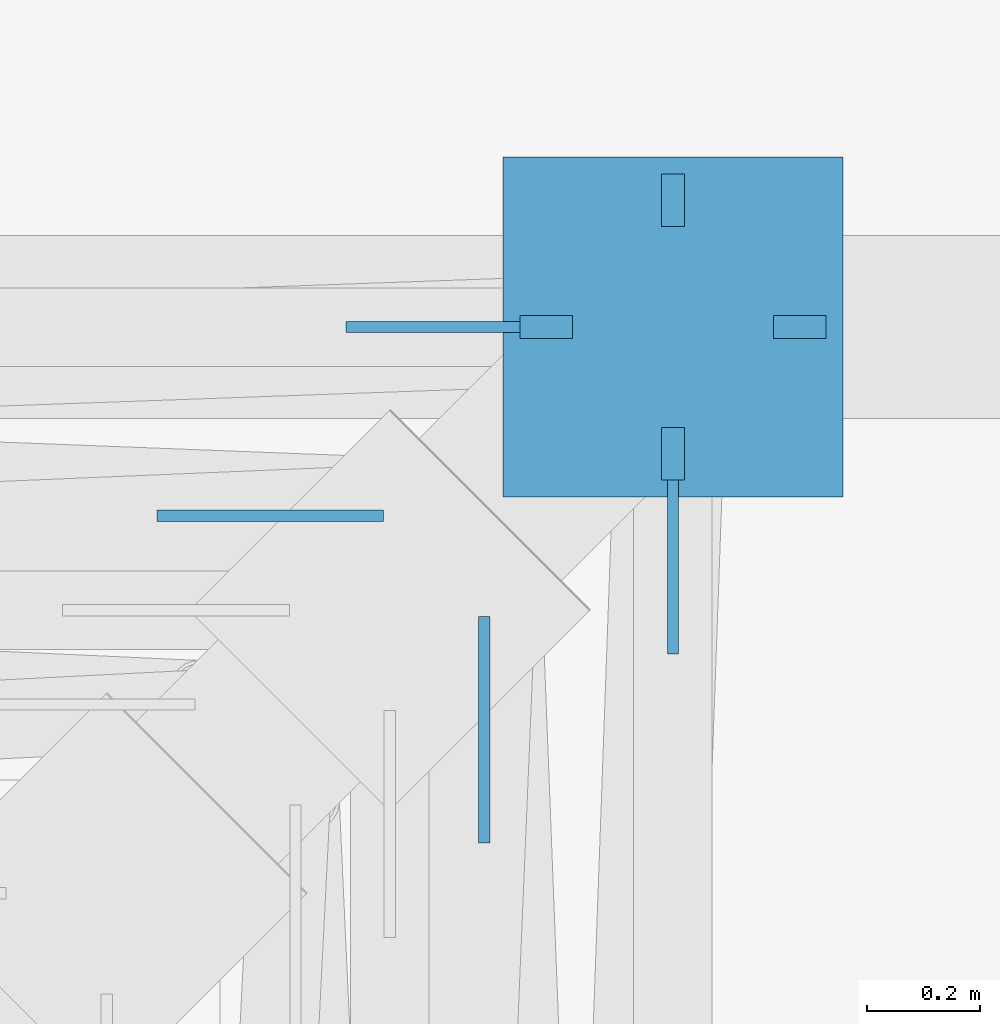
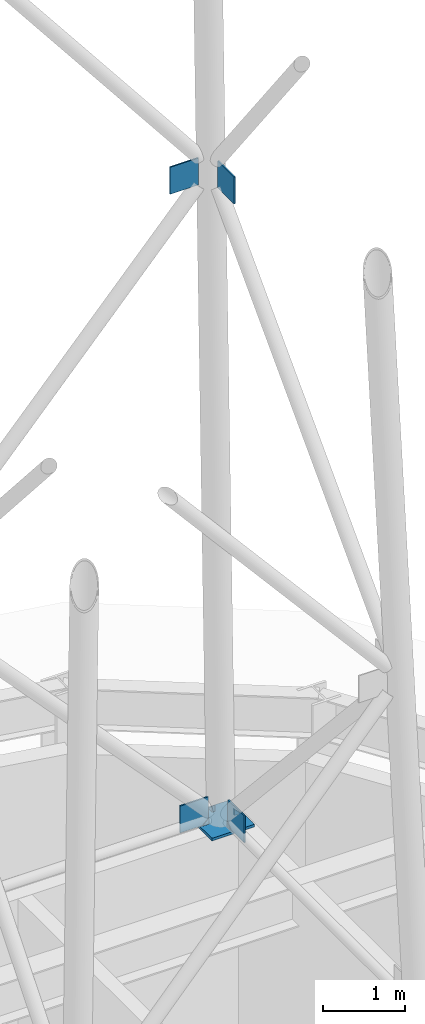
# One storey, part 13 of 15: 9 discrete accessories.
"""IFC4 building model written with IfcOpenShell, lengths in metres."""

from ifc_helpers import new_model, si_unit, direction, frame, origin, origin_2d, place, context, subcontext, project, spatial, polyline, rectangle, outline, extrude, material, layer, layer_set, material_profile, profile_set, type_object, element, save


model = new_model("IFC4")

# Units and contexts
model_context = context("Model", 3, precision=1e-05, world=origin(), true_north=direction((0.0, 1.0)))
body_context = subcontext(model_context, "Body", "Model", "MODEL_VIEW")
ifc_project = project(units=[si_unit("LENGTHUNIT", "METRE"), si_unit("AREAUNIT", "SQUARE_METRE"), si_unit("VOLUMEUNIT", "CUBIC_METRE"), si_unit("PLANEANGLEUNIT", "RADIAN"), si_unit("MASSUNIT", "GRAM", prefix="KILO")], contexts=[model_context])

# Site, building, storey
site_placement = place(None, origin())
site = spatial("IfcSite", under=ifc_project, at=site_placement, CompositionType="ELEMENT")
building_placement = place(site_placement, origin())
building = spatial("IfcBuilding", under=site, at=building_placement, Name="Immortelle Media Tower", CompositionType="ELEMENT")
storey_placement = place(building_placement, frame((0.0, 0.0, 308.0)))
storey = spatial("IfcBuildingStorey", under=building, at=storey_placement, Name="Roof", CompositionType="ELEMENT", Elevation=308.0)

# Discrete accessories
ifc_material_1 = material(Name="Structural steel S355J2 plate", Category="steel")
ifc_layer = layer(ifc_material_1, 0.0400390625)
ifc_layer_set = layer_set([ifc_layer], Name="Structural steel S355J2 plate")
discrete_accessory_type_1 = type_object("IfcDiscreteAccessoryType", Name="MAST base plate 600 x 600 x 40", PredefinedType="ANCHORPLATE", material=ifc_layer_set)
discrete_accessory_1_placement = place(storey_placement, frame((14.39990234375, 14.39990234375, 12.949951171875), z_axis=(0.0, 0.0, 1.0), x_axis=(1.0, 0.0, 0.0)))
element("IfcDiscreteAccessory", 1, at=discrete_accessory_1_placement, inside=storey, type_object=discrete_accessory_type_1, Name="MAST base plate C", PredefinedType="ANCHORPLATE", context=body_context, shape_type="SweptSolid", body=[
    extrude(rectangle(XDim=0.60009765625, YDim=0.60009765625, at=origin_2d()), origin(), (0.0, 0.0, 1.0), 0.0400390625),
])
ifc_material_2 = material(Name="Steel ASTM A572 Gr 50", Category="steel")
ifc_material_profile_1 = material_profile(ifc_material_2, rectangle(XDim=0.02001953125, YDim=0.39990234375, at=origin_2d()), Name="PL 20 x 400")
ifc_profile_set_1 = profile_set([ifc_material_profile_1], Name="Steel ASTM A572 Gr 50")
discrete_accessory_type_2 = type_object("IfcDiscreteAccessoryType", Name="Node plate GP4 400 x 400 x 20", PredefinedType="USERDEFINED", material=ifc_profile_set_1)
discrete_accessory_2_placement = place(storey_placement, frame((14.39990234375, 14.22216796875, 13.18994140625), z_axis=(0.0, -1.0, 0.0), x_axis=(1.0, 0.0, 0.0)))
element("IfcDiscreteAccessory", 2, at=discrete_accessory_2_placement, inside=storey, type_object=discrete_accessory_type_2, Name="Node plate GP4, leg C, face 2, node 1", ObjectType="NODE PLATE", PredefinedType="USERDEFINED", context=body_context, shape_type="SweptSolid", body=[
    extrude(rectangle(XDim=0.02001953125, YDim=0.39990234375, at=origin_2d()), origin(), (0.0, 0.0, 1.0), 0.39990234375),
])
discrete_accessory_3_placement = place(storey_placement, frame((14.066650390625, 13.888916015625, 22.989990234375), z_axis=(0.0, -1.0, 0.0), x_axis=(1.0, 0.0, 0.0)))
element("IfcDiscreteAccessory", 3, at=discrete_accessory_3_placement, inside=storey, type_object=discrete_accessory_type_2, Name="Node plate GP4, leg C, face 2, node 3", ObjectType="NODE PLATE", PredefinedType="USERDEFINED", context=body_context, shape_type="SweptSolid", body=[
    extrude(rectangle(XDim=0.02001953125, YDim=0.39990234375, at=origin_2d()), origin(), (0.0, 0.0, 1.0), 0.400146484375),
])
discrete_accessory_4_placement = place(storey_placement, frame((14.22216796875, 14.39990234375, 13.18994140625), z_axis=(-1.0, 0.0, 0.0), x_axis=(0.0, -1.0, 0.0)))
element("IfcDiscreteAccessory", 4, at=discrete_accessory_4_placement, inside=storey, type_object=discrete_accessory_type_2, Name="Node plate GP4, leg C, face 3, node 1", ObjectType="NODE PLATE", PredefinedType="USERDEFINED", context=body_context, shape_type="SweptSolid", body=[
    extrude(rectangle(XDim=0.02001953125, YDim=0.39990234375, at=origin_2d()), origin(), (0.0, 0.0, 1.0), 0.39990234375),
])
discrete_accessory_5_placement = place(storey_placement, frame((13.888916015625, 14.066650390625, 22.989990234375), z_axis=(-1.0, 0.0, 0.0), x_axis=(0.0, -1.0, 0.0)))
element("IfcDiscreteAccessory", 5, at=discrete_accessory_5_placement, inside=storey, type_object=discrete_accessory_type_2, Name="Node plate GP4, leg C, face 3, node 3", ObjectType="NODE PLATE", PredefinedType="USERDEFINED", context=body_context, shape_type="SweptSolid", body=[
    extrude(rectangle(XDim=0.02001953125, YDim=0.39990234375, at=origin_2d()), origin(), (0.0, 0.0, 1.0), 0.400146484375),
])
ifc_material_profile_2 = material_profile(ifc_material_2, outline(polyline([(-0.177734375, 0.0), (-0.177734375, 0.09228515625), (-0.27001953125, 0.0), (-0.177734375, 0.0)])), Name="PL 40 x 92")
ifc_profile_set_2 = profile_set([ifc_material_profile_2], Name="Steel ASTM A572 Gr 50")
discrete_accessory_type_3 = type_object("IfcDiscreteAccessoryType", Name="Stiffener plate BSP1 92 x 92 x 40", PredefinedType="USERDEFINED", material=ifc_profile_set_2)
for number, where, z_axis, x_axis, name in (
    (6, (14.39990234375, 14.3798828125, 12.989990234375), (0.0, 1.0, 0.0), (-1.0, 0.0, 0.0), "Stiffener plate BSP1, leg C, 1"),
    (7, (14.419921875, 14.39990234375, 12.989990234375), (-1.0, 0.0, 0.0), (0.0, -1.0, 0.0), "Stiffener plate BSP1, leg C, 2"),
    (8, (14.39990234375, 14.419921875, 12.989990234375), (0.0, -1.0, 0.0), (1.0, 0.0, 0.0), "Stiffener plate BSP1, leg C, 3"),
    (9, (14.3798828125, 14.39990234375, 12.989990234375), (1.0, 0.0, 0.0), (0.0, 1.0, 0.0), "Stiffener plate BSP1, leg C, 4"),
):
    element("IfcDiscreteAccessory", number, at=place(storey_placement, frame(where, z_axis=z_axis, x_axis=x_axis)), inside=storey, type_object=discrete_accessory_type_3, Name=name, ObjectType="STIFFENER PLATE", PredefinedType="USERDEFINED", context=body_context, shape_type="SweptSolid", body=[
        extrude(outline(polyline([(-0.177734375, 0.0), (-0.177734375, 0.09228515625), (-0.27001953125, 0.0), (-0.177734375, 0.0)])), origin(), (0.0, 0.0, 1.0), 0.0400390625),
    ])

save(model, "model.ifc")
